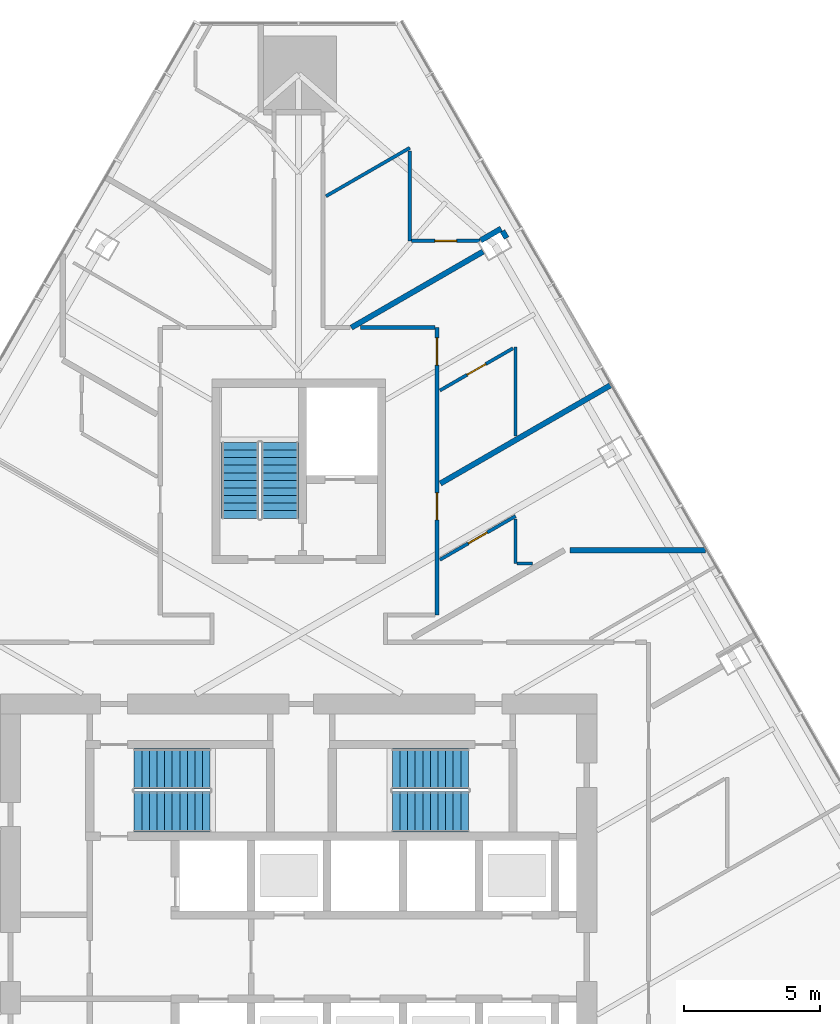
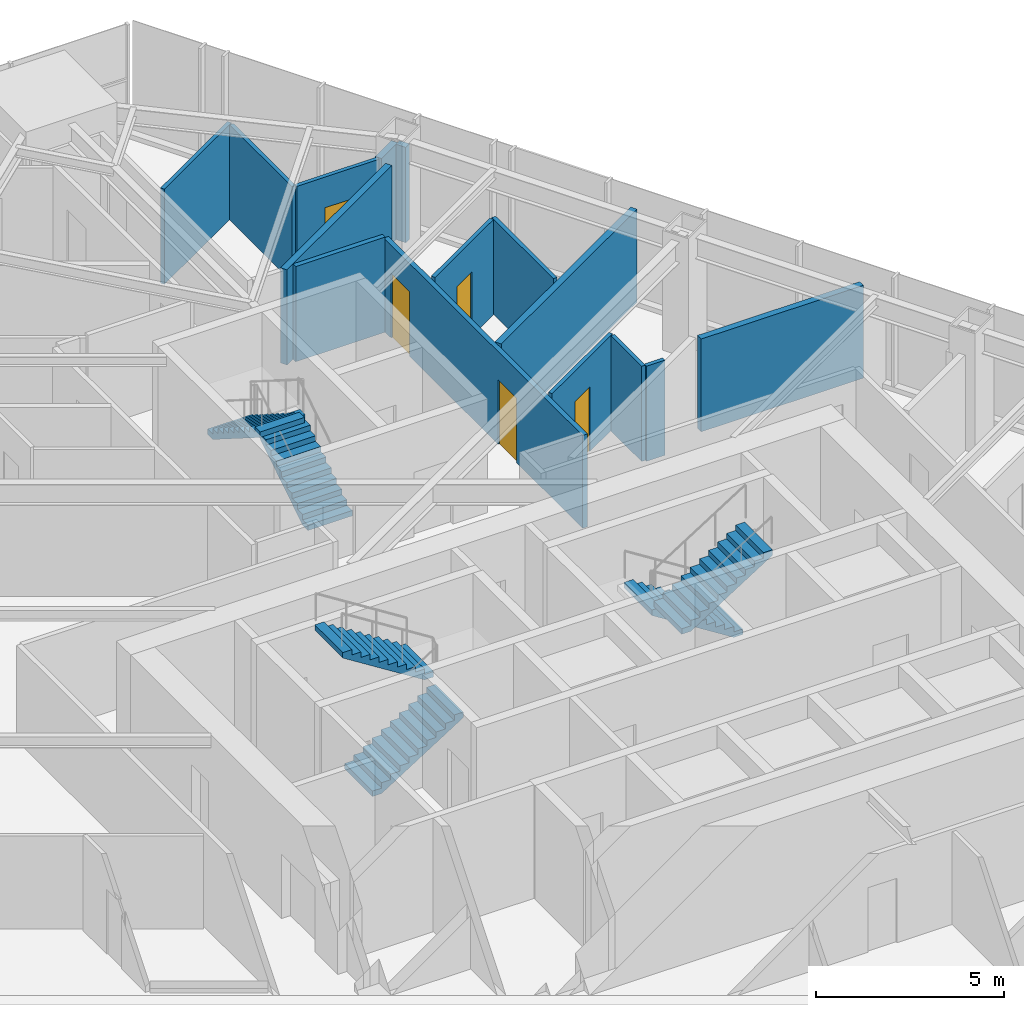
# One storey, part 17 of 19: 15 walls, 6 stair flights, 5 doors, 5 openings, 3 elements without a shape of their own.
"""IFC4 building model written with IfcOpenShell, lengths in metres."""

import ifcopenshell
import ifcopenshell.guid

model = None  # the IFC model being written
_history = None  # IfcOwnerHistory: only IFC2X3 demands one
_inside = {}  # id of a spatial element -> (the spatial element, [elements in it])
_under = {}  # id of a project, library or spatial element -> (it, [spatial elements below it])
_declared = {}  # id of a project -> (the project, [libraries it declares])
_typed = {}  # id of a type object -> (the type object, [elements of that type])
_made_of = {}  # id of a material, layer set ... -> (it, [elements and type objects made of it])


def new_model(schema):
    """Start an empty IFC model of exactly this schema.

    Asked for "IFC4X3", IfcOpenShell would pick the latest addendum, in which some entities
    have other attributes; the version numbers below select the first issue.
    IFC2X3 requires an IfcOwnerHistory on every rooted entity: one is made here for all.
    """
    global model, _history
    if schema == "IFC4X3":
        model = ifcopenshell.file(schema_version=(4, 3, 0, 0))
    else:
        model = ifcopenshell.file(schema=schema)
    _inside.clear()
    _under.clear()
    _declared.clear()
    _typed.clear()
    _made_of.clear()
    _history = None
    if model.schema == "IFC2X3":
        org = make("IfcOrganization", Name="unknown")
        user = make(
            "IfcPersonAndOrganization",
            ThePerson=make("IfcPerson", FamilyName="unknown"),
            TheOrganization=org,
        )
        app = make(
            "IfcApplication",
            ApplicationDeveloper=org,
            Version="unknown",
            ApplicationFullName="unknown",
            ApplicationIdentifier="unknown",
        )
        _history = make(
            "IfcOwnerHistory",
            OwningUser=user,
            OwningApplication=app,
            ChangeAction="ADDED",
            CreationDate=0,
        )
    return model


def make(cls, **values):
    """One entity of the class cls with the attributes given. An attribute that is None is left unset."""
    return model.create_entity(
        cls, **{name: value for name, value in values.items() if value is not None}
    )


def rooted(cls, **values):
    """An entity with a GlobalId (a new one), such as an element, a storey or a relation."""
    return make(cls, GlobalId=ifcopenshell.guid.new(), OwnerHistory=_history, **values)


def si_unit(unit_type, name, prefix=None):
    """IfcSIUnit, for example si_unit("LENGTHUNIT", "METRE", prefix="MILLI")."""
    return make("IfcSIUnit", UnitType=unit_type, Prefix=prefix, Name=name)


def assignment(units):
    """IfcUnitAssignment: the units of a project."""
    return None if units is None else make("IfcUnitAssignment", Units=units)


def point(xyz):
    """IfcCartesianPoint."""
    return None if xyz is None else make("IfcCartesianPoint", Coordinates=xyz)


def direction(xyz):
    """IfcDirection."""
    return None if xyz is None else make("IfcDirection", DirectionRatios=xyz)


def frame(location, z_axis=None, x_axis=None):
    """IfcAxis2Placement3D, a coordinate frame: its origin and axes. An axis left out is left unset."""
    return make(
        "IfcAxis2Placement3D",
        Location=point(location),
        Axis=direction(z_axis),
        RefDirection=direction(x_axis),
    )


def frame_2d(location, x_axis=None):
    """IfcAxis2Placement2D, a coordinate frame in the plane: its origin and x axis."""
    return make(
        "IfcAxis2Placement2D", Location=point(location), RefDirection=direction(x_axis)
    )


def origin():
    """The frame at (0, 0, 0) with its axes left unset."""
    return frame((0.0, 0.0, 0.0))


def place(relative_to, where):
    """IfcLocalPlacement: puts the frame where relative to a parent placement (None: the world)."""
    return make(
        "IfcLocalPlacement", PlacementRelTo=relative_to, RelativePlacement=where
    )


def context(
    kind, dimensions, precision=None, world=None, true_north=None, identifier=None
):
    """IfcGeometricRepresentationContext, for example the 3D "Model" context."""
    return make(
        "IfcGeometricRepresentationContext",
        ContextIdentifier=identifier,
        ContextType=kind,
        CoordinateSpaceDimension=dimensions,
        Precision=precision,
        WorldCoordinateSystem=world,
        TrueNorth=true_north,
    )


def subcontext(parent, identifier, kind, view, scale=None):
    """IfcGeometricRepresentationSubContext, for example "Body" below "Model"."""
    return make(
        "IfcGeometricRepresentationSubContext",
        ContextIdentifier=identifier,
        ContextType=kind,
        ParentContext=parent,
        TargetScale=scale,
        TargetView=view,
    )


def project(units=None, contexts=None):
    """IfcProject with its units and contexts."""
    return rooted(
        "IfcProject",
        Name="project",
        RepresentationContexts=contexts,
        UnitsInContext=assignment(units),
    )


def spatial(cls, under=None, at=None, **own):
    """A site, building, storey or space (cls), placed at a placement, below another one or the project."""
    s = rooted(cls, ObjectPlacement=at, **own)
    if under is not None:
        _under.setdefault(under.id(), (under, []))[1].append(s)
    return s


def polyline(points):
    """IfcPolyline through the points."""
    return make("IfcPolyline", Points=[point(p) for p in points])


def profile(cls, at=None, kind="AREA", **sizes):
    """A parametric profile (cls). Its sizes go by their IFC names, for example OverallWidth=200.0."""
    return make(cls, ProfileType=kind, Position=at, **sizes)


def rectangle(**sizes):
    """IfcRectangleProfileDef."""
    return profile("IfcRectangleProfileDef", **sizes)


def outline(outer, holes=None, kind="AREA"):
    """IfcArbitraryClosedProfileDef: a profile drawn as a closed curve; with holes, ...WithVoids."""
    if holes is None:
        return make("IfcArbitraryClosedProfileDef", ProfileType=kind, OuterCurve=outer)
    return make(
        "IfcArbitraryProfileDefWithVoids",
        ProfileType=kind,
        OuterCurve=outer,
        InnerCurves=holes,
    )


def extrude(swept, where, along, depth):
    """IfcExtrudedAreaSolid: the profile swept, set in the frame where, extruded along a direction by depth."""
    return make(
        "IfcExtrudedAreaSolid",
        SweptArea=swept,
        Position=where,
        ExtrudedDirection=direction(along),
        Depth=depth,
    )


def shape(context_of_items, identifier, shape_type, items):
    """IfcShapeRepresentation: the items that make up one representation, for example the "Body"."""
    return make(
        "IfcShapeRepresentation",
        ContextOfItems=context_of_items,
        RepresentationIdentifier=identifier,
        RepresentationType=shape_type,
        Items=items,
    )


def material(Name=None, Category=None):
    """IfcMaterial."""
    return make("IfcMaterial", Name=Name, Category=Category)


def layer(
    of_material, thickness, ventilated=None, Name=None, Category=None, Priority=None
):
    """IfcMaterialLayer: one layer of a wall or slab, of a material (None: an air gap)."""
    return make(
        "IfcMaterialLayer",
        Material=of_material,
        LayerThickness=thickness,
        IsVentilated=ventilated,
        Name=Name,
        Category=Category,
        Priority=Priority,
    )


def layer_set(layers, Name=None):
    """IfcMaterialLayerSet."""
    return make("IfcMaterialLayerSet", MaterialLayers=layers, LayerSetName=Name)


def made_of(thing, what):
    """Note that an element or type object is made of a material, layer set ...; save() writes the relation."""
    if what is not None:
        _made_of.setdefault(what.id(), (what, []))[1].append(thing)
    return thing


def type_object(cls, material=None, **own):
    """A type object (cls), such as IfcWallType, which elements share."""
    return made_of(rooted(cls, **own), material)


def element(
    cls,
    number,
    at=None,
    inside=None,
    cuts=None,
    type_object=None,
    material=None,
    context=None,
    identifier="Body",
    shape_type=None,
    held_by="IfcProductDefinitionShape",
    body=None,
    shapes=None,
    **own,
):
    """One element of the class cls, such as IfcWall. Its Tag is "e" and its number.

    at: its placement. inside: the storey or other place that contains it. cuts: it is an
    opening in that element (IfcRelVoidsElement). A single representation is given by context,
    identifier, shape_type and body (its items); several are given by shapes. held_by: the class
    of the entity that holds the representations. save() writes the other relations.
    """
    e = rooted(cls, Tag="e%d" % number, ObjectPlacement=at, **own)
    if body is not None:
        shapes = [shape(context, identifier, shape_type, body)]
    if shapes is not None:
        e.Representation = make(held_by, Representations=shapes)
    if inside is not None:
        _inside.setdefault(inside.id(), (inside, []))[1].append(e)
    if cuts is not None:
        rooted(
            "IfcRelVoidsElement", RelatingBuildingElement=cuts, RelatedOpeningElement=e
        )
    if type_object is not None:
        _typed.setdefault(type_object.id(), (type_object, []))[1].append(e)
    return made_of(e, material)


def fill(opening, filler):
    """IfcRelFillsElement: the door or window that sits in an opening."""
    return rooted(
        "IfcRelFillsElement",
        RelatingOpeningElement=opening,
        RelatedBuildingElement=filler,
    )


def aggregate(whole, parts):
    """IfcRelAggregates: a whole, such as a stair, and the parts it consists of."""
    return rooted("IfcRelAggregates", RelatingObject=whole, RelatedObjects=parts)


def save(model, path):
    """Write the relations noted so far, then the file.

    IfcRelAggregates (storeys below a building ...), IfcRelContainedInSpatialStructure (elements
    in a storey), IfcRelDefinesByType, IfcRelAssociatesMaterial and IfcRelDeclares: one each for
    every whole, place, type object, material and project.
    """
    for whole, parts in _under.values():
        aggregate(whole, parts)
    for where, things in _inside.values():
        rooted(
            "IfcRelContainedInSpatialStructure",
            RelatedElements=things,
            RelatingStructure=where,
        )
    for kind, things in _typed.values():
        rooted("IfcRelDefinesByType", RelatedObjects=things, RelatingType=kind)
    for what, things in _made_of.values():
        rooted("IfcRelAssociatesMaterial", RelatedObjects=things, RelatingMaterial=what)
    for by, libraries in _declared.values():
        rooted("IfcRelDeclares", RelatingContext=by, RelatedDefinitions=libraries)
    model.write(path)


model = new_model("IFC4")

# Units and contexts
model_context = context("Model", 3, precision=1e-05, world=origin(), true_north=direction((0.0, 1.0)))
body_context = subcontext(model_context, "Body", "Model", "MODEL_VIEW")
ifc_project = project(units=[si_unit("LENGTHUNIT", "METRE"), si_unit("AREAUNIT", "SQUARE_METRE"), si_unit("VOLUMEUNIT", "CUBIC_METRE"), si_unit("PLANEANGLEUNIT", "RADIAN"), si_unit("MASSUNIT", "GRAM", prefix="KILO")], contexts=[model_context])

# Site, building, storey
site_placement = place(None, origin())
site = spatial("IfcSite", under=ifc_project, at=site_placement, CompositionType="ELEMENT")
building_placement = place(site_placement, origin())
building = spatial("IfcBuilding", under=site, at=building_placement, Name="Firuza Gate Tower and Library", CompositionType="ELEMENT")
storey_placement = place(building_placement, frame((0.0, 0.0, 183.10009765625)))
storey = spatial("IfcBuildingStorey", under=building, at=storey_placement, Name="L42", CompositionType="ELEMENT", Elevation=183.10009765625)

# Wall, openings, doors
ifc_material_1 = material(Name="Gypsum board partition")
ifc_layer_1 = layer(ifc_material_1, 0.14990234375)
ifc_layer_set_1 = layer_set([ifc_layer_1], Name="Corridor wall 150 double board on steel studs")
wall_type_1 = type_object("IfcWallType", Name="Corridor wall 150 double board on steel studs", PredefinedType="PARTITIONING", material=ifc_layer_set_1)
wall_1_placement = place(storey_placement, frame((80.10009765625, 96.49951171875, 0.0), z_axis=(0.0, 0.0, 1.0), x_axis=(0.0, -1.0, 0.0)))
wall_1 = element("IfcWall", 1, at=wall_1_placement, inside=storey, type_object=wall_type_1, Name="f:L42:w054", PredefinedType="PARTITIONING", context=body_context, shape_type="SweptSolid", body=[
    extrude(rectangle(XDim=10.599609375, YDim=0.14990234375, at=frame_2d((5.2998046875, 0.0))), origin(), (0.0, 0.0, 1.0), 3.02197265625),
])
opening_1_placement = place(wall_1_placement, frame((0.37744140625, 0.0, 0.0)))
opening_1 = element("IfcOpeningElement", 2, at=opening_1_placement, cuts=wall_1, Name="Opening L42-27", PredefinedType="OPENING", context=body_context, shape_type="SweptSolid", body=[
    extrude(rectangle(XDim=1.0, YDim=2.10009765625, at=frame_2d((0.5, 1.050048828125))), frame((0.0, 0.0849609375, 0.0), z_axis=(0.0, -1.0, 0.0), x_axis=(1.0, 0.0, 0.0)), (0.0, 0.0, 1.0), 0.169921875),
])
opening_2_placement = place(wall_1_placement, frame((6.086669921875, 0.0, 0.0)))
opening_2 = element("IfcOpeningElement", 3, at=opening_2_placement, cuts=wall_1, Name="Opening L42-28", PredefinedType="OPENING", context=body_context, shape_type="SweptSolid", body=[
    extrude(rectangle(XDim=1.0, YDim=2.10009765625, at=frame_2d((0.5, 1.050048828125))), frame((0.0, 0.0849609375, 0.0), z_axis=(0.0, -1.0, 0.0), x_axis=(1.0, 0.0, 0.0)), (0.0, 0.0, 1.0), 0.169921875),
])
ifc_material_2 = material(Name="Steel door and timber leaf", Category="steel")
door_type_1 = type_object("IfcDoorType", Name="Fire door 1000 x 2100 steel frame, timber leaf", OperationType="NOTDEFINED", PredefinedType="DOOR", material=ifc_material_2)
door_1_placement = place(opening_1_placement, origin())
door_1 = element("IfcDoor", 4, at=door_1_placement, inside=storey, type_object=door_type_1, Name="f:L42:d027", OperationType="SINGLE_SWING_LEFT", OverallHeight=2.10009765625, OverallWidth=1.0, PredefinedType="DOOR", context=body_context, shape_type="SweptSolid", body=[
    extrude(rectangle(XDim=1.0, YDim=2.10009765625, at=frame_2d((0.5, 1.050048828125))), frame((0.0, 0.02490234375, 0.0), z_axis=(0.0, -1.0, 0.0), x_axis=(1.0, 0.0, 0.0)), (0.0, 0.0, 1.0), 0.050048828125),
])
fill(opening_1, door_1)
door_2_placement = place(opening_2_placement, origin())
door_2 = element("IfcDoor", 5, at=door_2_placement, inside=storey, type_object=door_type_1, Name="f:L42:d028", OperationType="SINGLE_SWING_LEFT", OverallHeight=2.10009765625, OverallWidth=1.0, PredefinedType="DOOR", context=body_context, shape_type="SweptSolid", body=[
    extrude(rectangle(XDim=1.0, YDim=2.10009765625, at=frame_2d((0.5, 1.050048828125))), frame((0.0, 0.02490234375, 0.0), z_axis=(0.0, -1.0, 0.0), x_axis=(1.0, 0.0, 0.0)), (0.0, 0.0, 1.0), 0.050048828125),
])
fill(opening_2, door_2)

# Walls
wall_2_placement = place(storey_placement, frame((77.272705078125, 96.5, 0.0), z_axis=(0.0, 0.0, 1.0), x_axis=(1.0, 0.0, 0.0)))
element("IfcWall", 6, at=wall_2_placement, inside=storey, type_object=wall_type_1, Name="f:L42:w101", PredefinedType="PARTITIONING", context=body_context, shape_type="SweptSolid", body=[
    extrude(rectangle(XDim=2.751708984375, YDim=0.14990234375, at=frame_2d((1.3759765625, 0.0))), origin(), (0.0, 0.0, 1.0), 3.099853515625),
])
ifc_material_3 = material(Name="Gypsum board partition")
ifc_layer_2 = layer(ifc_material_3, 0.199951171875)
ifc_layer_set_2 = layer_set([ifc_layer_2], Name="Demising wall 200 acoustic double stud")
wall_type_2 = type_object("IfcWallType", Name="Demising wall 200 acoustic double stud", PredefinedType="PARTITIONING", material=ifc_layer_set_2)
wall_3_placement = place(storey_placement, frame((85.00244140625, 88.300048828125, 0.0), z_axis=(0.0, 0.0, 1.0), x_axis=(1.0, 0.0, 0.0)))
element("IfcWall", 7, at=wall_3_placement, inside=storey, type_object=wall_type_2, Name="f:L42:w015", PredefinedType="PARTITIONING", context=body_context, shape_type="SweptSolid", body=[
    extrude(rectangle(XDim=4.99755859375, YDim=0.199951171875, at=frame_2d((2.498779296875, 0.0))), origin(), (0.0, 0.0, 1.0), 3.02197265625),
])
wall_4_placement = place(storey_placement, frame((80.226806640625, 90.754150390625, 0.0), z_axis=(0.0, 0.0, 1.0), x_axis=(0.866019288795, 0.500010591322, 0.0)))
element("IfcWall", 8, at=wall_4_placement, inside=storey, type_object=wall_type_2, Name="f:L42:w034", PredefinedType="PARTITIONING", context=body_context, shape_type="SweptSolid", body=[
    extrude(rectangle(XDim=7.236572265625, YDim=0.199951171875, at=frame_2d((3.6181640625, 0.0))), origin(), (0.0, 0.0, 1.0), 3.02197265625),
])
wall_5_placement = place(storey_placement, frame((76.943359375, 96.500244140625, 0.0), z_axis=(0.0, 0.0, 1.0), x_axis=(0.866015917575, 0.500016430238, 0.0)))
element("IfcWall", 9, at=wall_5_placement, inside=storey, type_object=wall_type_2, Name="f:L42:w036", PredefinedType="PARTITIONING", context=body_context, shape_type="SweptSolid", body=[
    extrude(rectangle(XDim=5.607177734375, YDim=0.199951171875, at=frame_2d((2.8037109375, 0.0))), origin(), (0.0, 0.0, 1.0), 3.099853515625),
])
wall_6_placement = place(storey_placement, frame((81.7119140625, 99.71533203125, 0.0), z_axis=(0.0, 0.0, 1.0), x_axis=(0.866092063448, 0.499884524299, 0.0)))
element("IfcWall", 10, at=wall_6_placement, inside=storey, type_object=wall_type_2, Name="f:L42:w037", PredefinedType="PARTITIONING", context=body_context, shape_type="SweptSolid", body=[
    extrude(rectangle(XDim=0.869384765625, YDim=0.199951171875, at=frame_2d((0.4345703125, 0.0))), origin(), (0.0, 0.0, 1.0), 3.099853515625),
])
wall_7_placement = place(storey_placement, frame((82.665283203125, 99.803466796875, 0.0), z_axis=(0.0, 0.0, 1.0), x_axis=(-0.499910707084, 0.866076950936, 0.0)))
element("IfcWall", 11, at=wall_7_placement, inside=storey, type_object=wall_type_2, Name="f:L42:w081", PredefinedType="PARTITIONING", context=body_context, shape_type="SweptSolid", body=[
    extrude(rectangle(XDim=0.29931640625, YDim=0.199951171875, at=frame_2d((0.149658203125, 0.0))), origin(), (0.0, 0.0, 1.0), 3.099853515625),
])
ifc_material_4 = material(Name="Gypsum board partition")
ifc_layer_3 = layer(ifc_material_4, 0.1201171875)
ifc_layer_set_3 = layer_set([ifc_layer_3], Name="Wet-area partition 120 moisture-resistant board")
wall_type_3 = type_object("IfcWallType", Name="Wet-area partition 120 moisture-resistant board", PredefinedType="PARTITIONING", material=ifc_layer_set_3)
wall_8_placement = place(storey_placement, frame((83.06005859375, 87.800048828125, 0.0), z_axis=(0.0, 0.0, 1.0), x_axis=(1.0, 0.0, 0.0)))
element("IfcWall", 12, at=wall_8_placement, inside=storey, type_object=wall_type_3, Name="f:L42:w014", PredefinedType="PARTITIONING", context=body_context, shape_type="SweptSolid", body=[
    extrude(rectangle(XDim=0.564453125, YDim=0.1201171875, at=frame_2d((0.2822265625, 0.0))), origin(), (0.0, 0.0, 1.0), 3.099853515625),
])

# Wall, opening, door
wall_9_placement = place(storey_placement, frame((81.686279296875, 99.699951171875, 0.0), z_axis=(0.0, 0.0, 1.0), x_axis=(-1.0, 0.0, 0.0)))
wall_9 = element("IfcWall", 13, at=wall_9_placement, inside=storey, type_object=wall_type_3, Name="f:L42:w018", PredefinedType="PARTITIONING", context=body_context, shape_type="SweptSolid", body=[
    extrude(rectangle(XDim=2.5263671875, YDim=0.1201171875, at=frame_2d((1.26318359375, 0.0))), origin(), (0.0, 0.0, 1.0), 3.099853515625),
])
opening_3_placement = place(wall_9_placement, frame((0.863037109375, 0.0, 0.0)))
opening_3 = element("IfcOpeningElement", 14, at=opening_3_placement, cuts=wall_9, Name="Opening L42-12", PredefinedType="OPENING", context=body_context, shape_type="SweptSolid", body=[
    extrude(rectangle(XDim=0.800048828125, YDim=2.10009765625, at=frame_2d((0.39990234375, 1.050048828125))), frame((0.0, 0.070068359375, 0.0), z_axis=(0.0, -1.0, 0.0), x_axis=(1.0, 0.0, 0.0)), (0.0, 0.0, 1.0), 0.14013671875),
])
ifc_material_5 = material(Name="Timber door", Category="wood")
door_type_2 = type_object("IfcDoorType", Name="Door 800 x 2100 timber leaf", OperationType="NOTDEFINED", PredefinedType="DOOR", material=ifc_material_5)
door_3_placement = place(opening_3_placement, origin())
door_3 = element("IfcDoor", 15, at=door_3_placement, inside=storey, type_object=door_type_2, Name="f:L42:d012", OperationType="SINGLE_SWING_RIGHT", OverallHeight=2.10009765625, OverallWidth=0.800048828125, PredefinedType="DOOR", context=body_context, shape_type="SweptSolid", body=[
    extrude(rectangle(XDim=0.800048828125, YDim=2.10009765625, at=frame_2d((0.39990234375, 1.050048828125))), frame((0.0, 0.02490234375, 0.0), z_axis=(0.0, -1.0, 0.0), x_axis=(1.0, 0.0, 0.0)), (0.0, 0.0, 1.0), 0.050048828125),
])
fill(opening_3, door_3)

wall_10_placement = place(storey_placement, frame((83.0, 89.552734375, 0.0), z_axis=(0.0, 0.0, 1.0), x_axis=(-0.86604299788, -0.499969524894, 0.0)))
wall_10 = element("IfcWall", 16, at=wall_10_placement, inside=storey, type_object=wall_type_3, Name="f:L42:w033", PredefinedType="PARTITIONING", context=body_context, shape_type="SweptSolid", body=[
    extrude(rectangle(XDim=3.221923828125, YDim=0.1201171875, at=frame_2d((1.61083984375, 0.0))), origin(), (0.0, 0.0, 1.0), 3.099853515625),
])
opening_4_placement = place(wall_10_placement, frame((1.2109375, 0.0, 0.0)))
opening_4 = element("IfcOpeningElement", 17, at=opening_4_placement, cuts=wall_10, Name="Opening L42-22", PredefinedType="OPENING", context=body_context, shape_type="SweptSolid", body=[
    extrude(rectangle(XDim=0.800048828125, YDim=2.10009765625, at=frame_2d((0.39990234375, 1.050048828125))), frame((0.0, 0.070068359375, 0.0), z_axis=(0.0, -1.0, 0.0), x_axis=(1.0, 0.0, 0.0)), (0.0, 0.0, 1.0), 0.14013671875),
])
door_4_placement = place(opening_4_placement, origin())
door_4 = element("IfcDoor", 18, at=door_4_placement, inside=storey, type_object=door_type_2, Name="f:L42:d022", OperationType="SINGLE_SWING_RIGHT", OverallHeight=2.10009765625, OverallWidth=0.800048828125, PredefinedType="DOOR", context=body_context, shape_type="SweptSolid", body=[
    extrude(rectangle(XDim=0.800048828125, YDim=2.10009765625, at=frame_2d((0.39990234375, 1.050048828125))), frame((0.0, 0.02490234375, 0.0), z_axis=(0.0, -1.0, 0.0), x_axis=(1.0, 0.0, 0.0)), (0.0, 0.0, 1.0), 0.050048828125),
])
fill(opening_4, door_4)

wall_11_placement = place(storey_placement, frame((82.9052734375, 95.7392578125, 0.0), z_axis=(0.0, 0.0, 1.0), x_axis=(-0.866028856698, -0.499994019331, 0.0)))
wall_11 = element("IfcWall", 19, at=wall_11_placement, inside=storey, type_object=wall_type_3, Name="f:L42:w035", PredefinedType="PARTITIONING", context=body_context, shape_type="SweptSolid", body=[
    extrude(rectangle(XDim=3.11279296875, YDim=0.1201171875, at=frame_2d((1.556396484375, 0.0))), origin(), (0.0, 0.0, 1.0), 3.099853515625),
])
opening_5_placement = place(wall_11_placement, frame((1.156494140625, 0.0, 0.0)))
opening_5 = element("IfcOpeningElement", 20, at=opening_5_placement, cuts=wall_11, Name="Opening L42-23", PredefinedType="OPENING", context=body_context, shape_type="SweptSolid", body=[
    extrude(rectangle(XDim=0.800048828125, YDim=2.10009765625, at=frame_2d((0.39990234375, 1.050048828125))), frame((0.0, 0.070068359375, 0.0), z_axis=(0.0, -1.0, 0.0), x_axis=(1.0, 0.0, 0.0)), (0.0, 0.0, 1.0), 0.14013671875),
])
door_5_placement = place(opening_5_placement, origin())
door_5 = element("IfcDoor", 21, at=door_5_placement, inside=storey, type_object=door_type_2, Name="f:L42:d023", OperationType="SINGLE_SWING_RIGHT", OverallHeight=2.10009765625, OverallWidth=0.800048828125, PredefinedType="DOOR", context=body_context, shape_type="SweptSolid", body=[
    extrude(rectangle(XDim=0.800048828125, YDim=2.10009765625, at=frame_2d((0.39990234375, 1.050048828125))), frame((0.0, 0.02490234375, 0.0), z_axis=(0.0, -1.0, 0.0), x_axis=(1.0, 0.0, 0.0)), (0.0, 0.0, 1.0), 0.050048828125),
])
fill(opening_5, door_5)

# Walls
wall_12_placement = place(storey_placement, frame((76.009765625, 101.345703125, 0.0), z_axis=(0.0, 0.0, 1.0), x_axis=(0.866045460162, 0.499965259726, 0.0)))
element("IfcWall", 22, at=wall_12_placement, inside=storey, type_object=wall_type_3, Name="f:L42:w038", PredefinedType="PARTITIONING", context=body_context, shape_type="SweptSolid", body=[
    extrude(rectangle(XDim=3.568603515625, YDim=0.1201171875, at=frame_2d((1.7841796875, 0.0))), origin(), (0.0, 0.0, 1.0), 3.099853515625),
])
wall_13_placement = place(storey_placement, frame((83.0, 87.800048828125, 0.0), z_axis=(0.0, 0.0, 1.0), x_axis=(0.0, 1.0, 0.0)))
element("IfcWall", 23, at=wall_13_placement, inside=storey, type_object=wall_type_3, Name="f:L42:w051", PredefinedType="PARTITIONING", context=body_context, shape_type="SweptSolid", body=[
    extrude(rectangle(XDim=1.6435546875, YDim=0.1201171875, at=frame_2d((0.82177734375, 0.0))), origin(), (0.0, 0.0, 1.0), 3.099853515625),
])
wall_14_placement = place(storey_placement, frame((83.0, 92.510498046875, 0.0), z_axis=(0.0, 0.0, 1.0), x_axis=(0.0, 1.0, 0.0)))
element("IfcWall", 24, at=wall_14_placement, inside=storey, type_object=wall_type_3, Name="f:L42:w052", PredefinedType="PARTITIONING", context=body_context, shape_type="SweptSolid", body=[
    extrude(rectangle(XDim=3.283203125, YDim=0.1201171875, at=frame_2d((1.6416015625, 0.0))), origin(), (0.0, 0.0, 1.0), 3.099853515625),
])
wall_15_placement = place(storey_placement, frame((79.10009765625, 99.699951171875, 0.0), z_axis=(0.0, 0.0, 1.0), x_axis=(0.0, 1.0, 0.0)))
element("IfcWall", 25, at=wall_15_placement, inside=storey, type_object=wall_type_3, Name="f:L42:w056", PredefinedType="PARTITIONING", context=body_context, shape_type="SweptSolid", body=[
    extrude(rectangle(XDim=3.321044921875, YDim=0.1201171875, at=frame_2d((1.66064453125, 0.0))), origin(), (0.0, 0.0, 1.0), 3.099853515625),
])

# Stair, stair flights
ifc_material_6 = material(Name="Concrete C35/45", Category="concrete")
stair_type_1 = type_object("IfcStairType", Name="Exit stair ST16", PredefinedType="HALF_TURN_STAIR", material=ifc_material_6)
placement = place(storey_placement, origin())
stair_1 = element("IfcStair", 26, at=placement, inside=storey, type_object=stair_type_1, Name="L42 Stair ST3", PredefinedType="HALF_TURN_STAIR")
ifc_material_7 = material(Name="Concrete C35/45", Category="concrete")
stair_flight_type_1 = type_object("IfcStairFlightType", Name="Stair flight 11 risers 177.3 width 1370", PredefinedType="STRAIGHT", material=ifc_material_7)
stair_flight_1_placement = place(storey_placement, frame((74.31494140625, 89.469970703125, 0.0), z_axis=(0.0, 0.0, 1.0), x_axis=(0.0, 1.0, 0.0)))
stair_flight_1 = element("IfcStairFlight", 27, at=stair_flight_1_placement, type_object=stair_flight_type_1, Name="ST3 flight 1", NumberOfRisers=11, NumberOfTreads=10, PredefinedType="STRAIGHT", RiserHeight=0.177272727, TreadLength=0.28, context=body_context, shape_type="SweptSolid", body=[
    extrude(outline(polyline([(0.0, 0.0), (0.0, 0.17724609375), (0.280029296875, 0.17724609375), (0.280029296875, 0.3544921875), (0.56005859375, 0.3544921875), (0.56005859375, 0.53173828125), (0.840087890625, 0.53173828125), (0.840087890625, 0.708984375), (1.1201171875, 0.708984375), (1.1201171875, 0.886474609375), (1.39990234375, 0.886474609375), (1.39990234375, 1.063720703125), (1.679931640625, 1.063720703125), (1.679931640625, 1.240966796875), (1.9599609375, 1.240966796875), (1.9599609375, 1.418212890625), (2.239990234375, 1.418212890625), (2.239990234375, 1.595458984375), (2.52001953125, 1.595458984375), (2.52001953125, 1.772705078125), (2.800048828125, 1.772705078125), (2.800048828125, 1.949951171875), (2.800048828125, 1.59521484375), (0.2802734375, 0.0), (0.0, 0.0)])), frame((0.0, 0.68505859375, 0.0), z_axis=(0.0, -1.0, 0.0), x_axis=(1.0, 0.0, 0.0)), (0.0, 0.0, 1.0), 1.3701171875),
])
stair_flight_2_placement = place(storey_placement, frame((72.844970703125, 92.27001953125, 1.949951171875), z_axis=(0.0, 0.0, 1.0), x_axis=(0.0, -1.0, 0.0)))
stair_flight_2 = element("IfcStairFlight", 28, at=stair_flight_2_placement, type_object=stair_flight_type_1, Name="ST3 flight 2", NumberOfRisers=11, NumberOfTreads=10, PredefinedType="STRAIGHT", RiserHeight=0.177272727, TreadLength=0.28, context=body_context, shape_type="SweptSolid", body=[
    extrude(outline(polyline([(0.0, 0.0), (0.0, 0.17724609375), (0.280029296875, 0.17724609375), (0.280029296875, 0.3544921875), (0.56005859375, 0.3544921875), (0.56005859375, 0.53173828125), (0.840087890625, 0.53173828125), (0.840087890625, 0.708984375), (1.1201171875, 0.708984375), (1.1201171875, 0.886474609375), (1.39990234375, 0.886474609375), (1.39990234375, 1.063720703125), (1.679931640625, 1.063720703125), (1.679931640625, 1.240966796875), (1.9599609375, 1.240966796875), (1.9599609375, 1.418212890625), (2.239990234375, 1.418212890625), (2.239990234375, 1.595458984375), (2.52001953125, 1.595458984375), (2.52001953125, 1.772705078125), (2.800048828125, 1.772705078125), (2.800048828125, 1.949951171875), (2.800048828125, 1.59521484375), (0.2802734375, 0.0), (0.0, 0.0)])), frame((0.0, 0.68505859375, 0.0), z_axis=(0.0, -1.0, 0.0), x_axis=(1.0, 0.0, 0.0)), (0.0, 0.0, 1.0), 1.3701171875),
])
aggregate(stair_1, [stair_flight_1, stair_flight_2])

ifc_material_8 = material(Name="Concrete C35/45", Category="concrete")
stair_type_2 = type_object("IfcStairType", Name="Exit stair ST7", PredefinedType="HALF_TURN_STAIR", material=ifc_material_8)
stair_2 = element("IfcStair", 29, at=placement, inside=storey, type_object=stair_type_2, Name="L42 Stair ST1", PredefinedType="HALF_TURN_STAIR")
ifc_material_9 = material(Name="Concrete C35/45", Category="concrete")
stair_flight_type_2 = type_object("IfcStairFlightType", Name="Stair flight 11 risers 177.3 width 1490", PredefinedType="STRAIGHT", material=ifc_material_9)
stair_flight_3_placement = place(storey_placement, frame((68.93994140625, 78.64501953125, 0.0), z_axis=(0.0, 0.0, 1.0), x_axis=(1.0, 0.0, 0.0)))
stair_flight_3 = element("IfcStairFlight", 30, at=stair_flight_3_placement, type_object=stair_flight_type_2, Name="ST1 flight 1", NumberOfRisers=11, NumberOfTreads=10, PredefinedType="STRAIGHT", RiserHeight=0.177272727, TreadLength=0.28, context=body_context, shape_type="SweptSolid", body=[
    extrude(outline(polyline([(0.0, 0.0), (0.0, 0.17724609375), (0.280029296875, 0.17724609375), (0.280029296875, 0.3544921875), (0.56005859375, 0.3544921875), (0.56005859375, 0.53173828125), (0.840087890625, 0.53173828125), (0.840087890625, 0.708984375), (1.1201171875, 0.708984375), (1.1201171875, 0.886474609375), (1.39990234375, 0.886474609375), (1.39990234375, 1.063720703125), (1.679931640625, 1.063720703125), (1.679931640625, 1.240966796875), (1.9599609375, 1.240966796875), (1.9599609375, 1.418212890625), (2.239990234375, 1.418212890625), (2.239990234375, 1.595458984375), (2.52001953125, 1.595458984375), (2.52001953125, 1.772705078125), (2.800048828125, 1.772705078125), (2.800048828125, 1.949951171875), (2.800048828125, 1.59521484375), (0.2802734375, 0.0), (0.0, 0.0)])), frame((0.0, 0.7451171875, 0.0), z_axis=(0.0, -1.0, 0.0), x_axis=(1.0, 0.0, 0.0)), (0.0, 0.0, 1.0), 1.489990234375),
])
stair_flight_4_placement = place(storey_placement, frame((71.739990234375, 80.235107421875, 1.949951171875), z_axis=(0.0, 0.0, 1.0), x_axis=(-1.0, 0.0, 0.0)))
stair_flight_4 = element("IfcStairFlight", 31, at=stair_flight_4_placement, type_object=stair_flight_type_2, Name="ST1 flight 2", NumberOfRisers=11, NumberOfTreads=10, PredefinedType="STRAIGHT", RiserHeight=0.177272727, TreadLength=0.28, context=body_context, shape_type="SweptSolid", body=[
    extrude(outline(polyline([(0.0, 0.0), (0.0, 0.17724609375), (0.280029296875, 0.17724609375), (0.280029296875, 0.3544921875), (0.56005859375, 0.3544921875), (0.56005859375, 0.53173828125), (0.840087890625, 0.53173828125), (0.840087890625, 0.708984375), (1.1201171875, 0.708984375), (1.1201171875, 0.886474609375), (1.39990234375, 0.886474609375), (1.39990234375, 1.063720703125), (1.679931640625, 1.063720703125), (1.679931640625, 1.240966796875), (1.9599609375, 1.240966796875), (1.9599609375, 1.418212890625), (2.239990234375, 1.418212890625), (2.239990234375, 1.595458984375), (2.52001953125, 1.595458984375), (2.52001953125, 1.772705078125), (2.800048828125, 1.772705078125), (2.800048828125, 1.949951171875), (2.800048828125, 1.59521484375), (0.2802734375, 0.0), (0.0, 0.0)])), frame((0.0, 0.7451171875, 0.0), z_axis=(0.0, -1.0, 0.0), x_axis=(1.0, 0.0, 0.0)), (0.0, 0.0, 1.0), 1.489990234375),
])
aggregate(stair_2, [stair_flight_3, stair_flight_4])

stair_3 = element("IfcStair", 32, at=placement, inside=storey, type_object=stair_type_2, Name="L42 Stair ST2", PredefinedType="HALF_TURN_STAIR")
stair_flight_5_placement = place(storey_placement, frame((81.260009765625, 80.235107421875, 0.0), z_axis=(0.0, 0.0, 1.0), x_axis=(-1.0, 0.0, 0.0)))
stair_flight_5 = element("IfcStairFlight", 33, at=stair_flight_5_placement, type_object=stair_flight_type_2, Name="ST2 flight 1", NumberOfRisers=11, NumberOfTreads=10, PredefinedType="STRAIGHT", RiserHeight=0.177272727, TreadLength=0.28, context=body_context, shape_type="SweptSolid", body=[
    extrude(outline(polyline([(0.0, 0.0), (0.0, 0.17724609375), (0.280029296875, 0.17724609375), (0.280029296875, 0.3544921875), (0.56005859375, 0.3544921875), (0.56005859375, 0.53173828125), (0.840087890625, 0.53173828125), (0.840087890625, 0.708984375), (1.1201171875, 0.708984375), (1.1201171875, 0.886474609375), (1.39990234375, 0.886474609375), (1.39990234375, 1.063720703125), (1.679931640625, 1.063720703125), (1.679931640625, 1.240966796875), (1.9599609375, 1.240966796875), (1.9599609375, 1.418212890625), (2.239990234375, 1.418212890625), (2.239990234375, 1.595458984375), (2.52001953125, 1.595458984375), (2.52001953125, 1.772705078125), (2.800048828125, 1.772705078125), (2.800048828125, 1.949951171875), (2.800048828125, 1.59521484375), (0.2802734375, 0.0), (0.0, 0.0)])), frame((0.0, 0.7451171875, 0.0), z_axis=(0.0, -1.0, 0.0), x_axis=(1.0, 0.0, 0.0)), (0.0, 0.0, 1.0), 1.489990234375),
])
stair_flight_6_placement = place(storey_placement, frame((78.4599609375, 78.64501953125, 1.949951171875), z_axis=(0.0, 0.0, 1.0), x_axis=(1.0, 0.0, 0.0)))
stair_flight_6 = element("IfcStairFlight", 34, at=stair_flight_6_placement, type_object=stair_flight_type_2, Name="ST2 flight 2", NumberOfRisers=11, NumberOfTreads=10, PredefinedType="STRAIGHT", RiserHeight=0.177272727, TreadLength=0.28, context=body_context, shape_type="SweptSolid", body=[
    extrude(outline(polyline([(0.0, 0.0), (0.0, 0.17724609375), (0.280029296875, 0.17724609375), (0.280029296875, 0.3544921875), (0.56005859375, 0.3544921875), (0.56005859375, 0.53173828125), (0.840087890625, 0.53173828125), (0.840087890625, 0.708984375), (1.1201171875, 0.708984375), (1.1201171875, 0.886474609375), (1.39990234375, 0.886474609375), (1.39990234375, 1.063720703125), (1.679931640625, 1.063720703125), (1.679931640625, 1.240966796875), (1.9599609375, 1.240966796875), (1.9599609375, 1.418212890625), (2.239990234375, 1.418212890625), (2.239990234375, 1.595458984375), (2.52001953125, 1.595458984375), (2.52001953125, 1.772705078125), (2.800048828125, 1.772705078125), (2.800048828125, 1.949951171875), (2.800048828125, 1.59521484375), (0.2802734375, 0.0), (0.0, 0.0)])), frame((0.0, 0.7451171875, 0.0), z_axis=(0.0, -1.0, 0.0), x_axis=(1.0, 0.0, 0.0)), (0.0, 0.0, 1.0), 1.489990234375),
])
aggregate(stair_3, [stair_flight_5, stair_flight_6])

save(model, "model.ifc")
